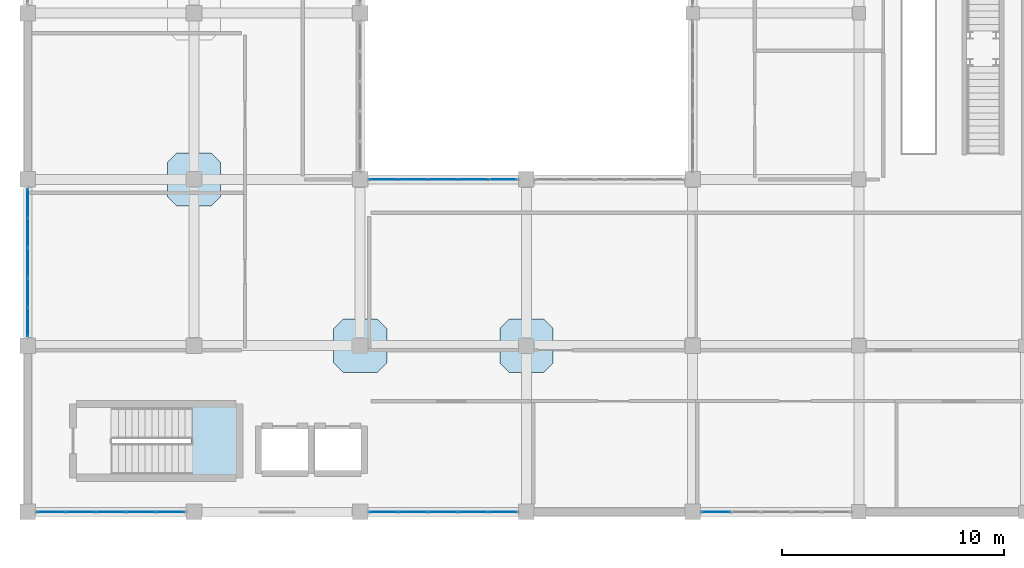
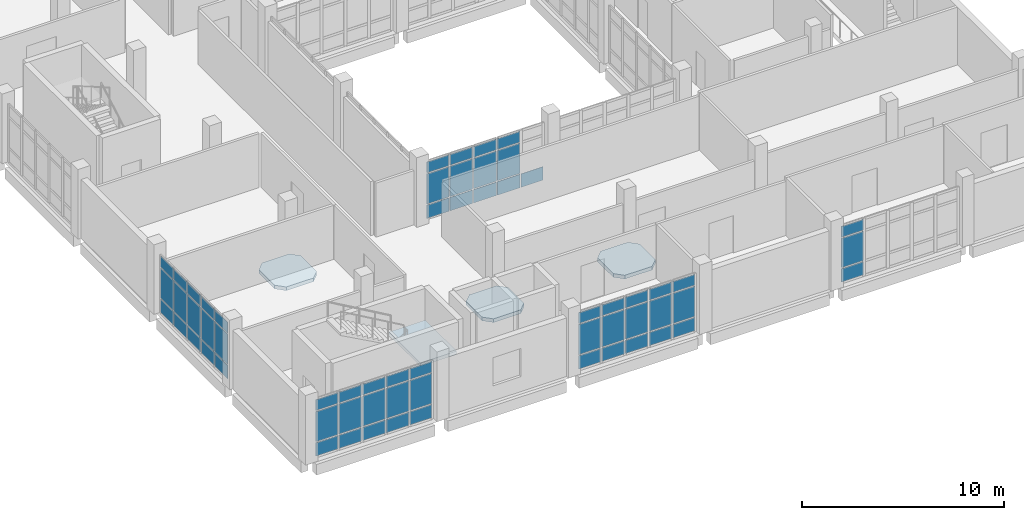
# One storey, part 120 of 164: 61 plates, 4 slabs, 6 elements without a shape of their own.
"""IFC4 building model written with IfcOpenShell, lengths in metres."""

from ifc_helpers import new_model, si_unit, direction, frame, origin, origin_2d, place, context, subcontext, project, spatial, polyline, rectangle, outline, extrude, material, layer, layer_set, type_object, element, aggregate, save


model = new_model("IFC4")

# Units and contexts
model_context = context("Model", 3, precision=1e-05, world=origin(), true_north=direction((0.0, 1.0)))
body_context = subcontext(model_context, "Body", "Model", "MODEL_VIEW")
ifc_project = project(units=[si_unit("LENGTHUNIT", "METRE"), si_unit("AREAUNIT", "SQUARE_METRE"), si_unit("VOLUMEUNIT", "CUBIC_METRE"), si_unit("PLANEANGLEUNIT", "RADIAN"), si_unit("MASSUNIT", "GRAM", prefix="KILO")], contexts=[model_context])

# Site, building, storey
site_placement = place(None, origin())
site = spatial("IfcSite", under=ifc_project, at=site_placement, CompositionType="ELEMENT")
building_placement = place(site_placement, origin())
building = spatial("IfcBuilding", under=site, at=building_placement, Name="Mawjan Specialist Oncology Clinic", CompositionType="ELEMENT")
storey_placement = place(building_placement, frame((0.0, 0.0, 5.0)))
storey = spatial("IfcBuildingStorey", under=building, at=storey_placement, Name="L01", CompositionType="ELEMENT", Elevation=5.0)

# Curtain wall, plates
ifc_material_1 = material(Name="Unitised spectrally selective aluminium curtain wall", Category="aluminium")
ifc_layer_1 = layer(ifc_material_1, 0.179931640625, Name="Unitised spectrally selective aluminium curtain wall", Category="aluminium")
ifc_layer_set_1 = layer_set([ifc_layer_1], Name="Unitised spectrally selective aluminium curtain wall")
curtain_wall_type_1 = type_object("IfcCurtainWallType", Name="CW-72", PredefinedType="NOTDEFINED", material=ifc_layer_set_1)
curtain_wall_1_placement = place(storey_placement, origin())
curtain_wall_1 = element("IfcCurtainWall", 1, at=curtain_wall_1_placement, inside=storey, type_object=curtain_wall_type_1, Name="L01 Unitised Curtain Wall CW-L01-142", PredefinedType="NOTDEFINED")
ifc_material_2 = material(Name="Spectrally selective double low-E glazing", Category="glass")
ifc_layer_2 = layer(ifc_material_2, 0.031982421875, Name="Spectrally selective double low-E glazing", Category="glass")
ifc_layer_set_2 = layer_set([ifc_layer_2], Name="Spectrally selective double low-E glazing")
plate_type = type_object("IfcPlateType", Name="CW-P32", PredefinedType="CURTAIN_PANEL", material=ifc_layer_set_2)
plate_1_placement = place(storey_placement, frame((31.064697265625, 0.800048828125, 0.06494140625), z_axis=(0.0, 0.0, 1.0), x_axis=(-1.0, 0.0, 0.0)))
plate_1 = element("IfcPlate", 2, at=plate_1_placement, type_object=plate_type, Name="CW-72 panel 5.1", PredefinedType="CURTAIN_PANEL", context=body_context, shape_type="SweptSolid", body=[
    extrude(rectangle(XDim=1.259521484375, YDim=0.031982421875, at=origin_2d()), origin(), (0.0, 0.0, 1.0), 0.802490234375),
])
plate_2_placement = place(storey_placement, frame((31.064697265625, 0.800048828125, 0.932373046875), z_axis=(0.0, 0.0, 1.0), x_axis=(-1.0, 0.0, 0.0)))
plate_2 = element("IfcPlate", 3, at=plate_2_placement, type_object=plate_type, Name="CW-72 panel 5.2", PredefinedType="CURTAIN_PANEL", context=body_context, shape_type="SweptSolid", body=[
    extrude(rectangle(XDim=1.259521484375, YDim=0.031982421875, at=origin_2d()), origin(), (0.0, 0.0, 1.0), 1.77001953125),
])
plate_3_placement = place(storey_placement, frame((31.064697265625, 0.800048828125, 2.767578125), z_axis=(0.0, 0.0, 1.0), x_axis=(-1.0, 0.0, 0.0)))
plate_3 = element("IfcPlate", 4, at=plate_3_placement, type_object=plate_type, Name="CW-72 panel 5.3", PredefinedType="CURTAIN_PANEL", context=body_context, shape_type="SweptSolid", body=[
    extrude(rectangle(XDim=1.259521484375, YDim=0.031982421875, at=origin_2d()), origin(), (0.0, 0.0, 1.0), 0.652587890625),
])
aggregate(curtain_wall_1, [plate_1, plate_2, plate_3])

ifc_material_3 = material(Name="Unitised spectrally selective aluminium curtain wall", Category="aluminium")
ifc_layer_3 = layer(ifc_material_3, 0.179931640625, Name="Unitised spectrally selective aluminium curtain wall", Category="aluminium")
ifc_layer_set_3 = layer_set([ifc_layer_3], Name="Unitised spectrally selective aluminium curtain wall")
curtain_wall_type_2 = type_object("IfcCurtainWallType", Name="CW-73", PredefinedType="NOTDEFINED", material=ifc_layer_set_3)
curtain_wall_2_placement = place(storey_placement, origin())
curtain_wall_2 = element("IfcCurtainWall", 5, at=curtain_wall_2_placement, inside=storey, type_object=curtain_wall_type_2, Name="L01 Unitised Curtain Wall CW-L01-143", PredefinedType="NOTDEFINED")
plate_4_placement = place(storey_placement, frame((21.437744140625, 0.800048828125, 0.06494140625), z_axis=(0.0, 0.0, 1.0), x_axis=(-1.0, 0.0, 0.0)))
plate_4 = element("IfcPlate", 6, at=plate_4_placement, type_object=plate_type, Name="CW-73 panel 1.1", PredefinedType="CURTAIN_PANEL", context=body_context, shape_type="SweptSolid", body=[
    extrude(rectangle(XDim=1.25439453125, YDim=0.031982421875, at=origin_2d()), origin(), (0.0, 0.0, 1.0), 0.802490234375),
])
plate_5_placement = place(storey_placement, frame((21.437744140625, 0.800048828125, 0.9326171875), z_axis=(0.0, 0.0, 1.0), x_axis=(-1.0, 0.0, 0.0)))
plate_5 = element("IfcPlate", 7, at=plate_5_placement, type_object=plate_type, Name="CW-73 panel 1.2", PredefinedType="CURTAIN_PANEL", context=body_context, shape_type="SweptSolid", body=[
    extrude(rectangle(XDim=1.25439453125, YDim=0.031982421875, at=origin_2d()), origin(), (0.0, 0.0, 1.0), 1.820068359375),
])
plate_6_placement = place(storey_placement, frame((21.437744140625, 0.800048828125, 2.8173828125), z_axis=(0.0, 0.0, 1.0), x_axis=(-1.0, 0.0, 0.0)))
plate_6 = element("IfcPlate", 8, at=plate_6_placement, type_object=plate_type, Name="CW-73 panel 1.3", PredefinedType="CURTAIN_PANEL", context=body_context, shape_type="SweptSolid", body=[
    extrude(rectangle(XDim=1.25439453125, YDim=0.031982421875, at=origin_2d()), origin(), (0.0, 0.0, 1.0), 0.652587890625),
])
plate_7_placement = place(storey_placement, frame((20.10205078125, 0.800048828125, 0.06494140625), z_axis=(0.0, 0.0, 1.0), x_axis=(-1.0, 0.0, 0.0)))
plate_7 = element("IfcPlate", 9, at=plate_7_placement, type_object=plate_type, Name="CW-73 panel 2.1", PredefinedType="CURTAIN_PANEL", context=body_context, shape_type="SweptSolid", body=[
    extrude(rectangle(XDim=1.287109375, YDim=0.031982421875, at=origin_2d()), origin(), (0.0, 0.0, 1.0), 0.802490234375),
])
plate_8_placement = place(storey_placement, frame((20.10205078125, 0.800048828125, 0.9326171875), z_axis=(0.0, 0.0, 1.0), x_axis=(-1.0, 0.0, 0.0)))
plate_8 = element("IfcPlate", 10, at=plate_8_placement, type_object=plate_type, Name="CW-73 panel 2.2", PredefinedType="CURTAIN_PANEL", context=body_context, shape_type="SweptSolid", body=[
    extrude(rectangle(XDim=1.287109375, YDim=0.031982421875, at=origin_2d()), origin(), (0.0, 0.0, 1.0), 1.820068359375),
])
plate_9_placement = place(storey_placement, frame((20.10205078125, 0.800048828125, 2.8173828125), z_axis=(0.0, 0.0, 1.0), x_axis=(-1.0, 0.0, 0.0)))
plate_9 = element("IfcPlate", 11, at=plate_9_placement, type_object=plate_type, Name="CW-73 panel 2.3", PredefinedType="CURTAIN_PANEL", context=body_context, shape_type="SweptSolid", body=[
    extrude(rectangle(XDim=1.287109375, YDim=0.031982421875, at=origin_2d()), origin(), (0.0, 0.0, 1.0), 0.652587890625),
])
plate_10_placement = place(storey_placement, frame((18.75, 0.800048828125, 0.06494140625), z_axis=(0.0, 0.0, 1.0), x_axis=(-1.0, 0.0, 0.0)))
plate_10 = element("IfcPlate", 12, at=plate_10_placement, type_object=plate_type, Name="CW-73 panel 3.1", PredefinedType="CURTAIN_PANEL", context=body_context, shape_type="SweptSolid", body=[
    extrude(rectangle(XDim=1.287109375, YDim=0.031982421875, at=origin_2d()), origin(), (0.0, 0.0, 1.0), 0.802490234375),
])
plate_11_placement = place(storey_placement, frame((18.75, 0.800048828125, 0.9326171875), z_axis=(0.0, 0.0, 1.0), x_axis=(-1.0, 0.0, 0.0)))
plate_11 = element("IfcPlate", 13, at=plate_11_placement, type_object=plate_type, Name="CW-73 panel 3.2", PredefinedType="CURTAIN_PANEL", context=body_context, shape_type="SweptSolid", body=[
    extrude(rectangle(XDim=1.287109375, YDim=0.031982421875, at=origin_2d()), origin(), (0.0, 0.0, 1.0), 1.820068359375),
])
plate_12_placement = place(storey_placement, frame((18.75, 0.800048828125, 2.8173828125), z_axis=(0.0, 0.0, 1.0), x_axis=(-1.0, 0.0, 0.0)))
plate_12 = element("IfcPlate", 14, at=plate_12_placement, type_object=plate_type, Name="CW-73 panel 3.3", PredefinedType="CURTAIN_PANEL", context=body_context, shape_type="SweptSolid", body=[
    extrude(rectangle(XDim=1.287109375, YDim=0.031982421875, at=origin_2d()), origin(), (0.0, 0.0, 1.0), 0.652587890625),
])
plate_13_placement = place(storey_placement, frame((17.39794921875, 0.800048828125, 0.06494140625), z_axis=(0.0, 0.0, 1.0), x_axis=(-1.0, 0.0, 0.0)))
plate_13 = element("IfcPlate", 15, at=plate_13_placement, type_object=plate_type, Name="CW-73 panel 4.1", PredefinedType="CURTAIN_PANEL", context=body_context, shape_type="SweptSolid", body=[
    extrude(rectangle(XDim=1.287109375, YDim=0.031982421875, at=origin_2d()), origin(), (0.0, 0.0, 1.0), 0.802490234375),
])
plate_14_placement = place(storey_placement, frame((17.39794921875, 0.800048828125, 0.9326171875), z_axis=(0.0, 0.0, 1.0), x_axis=(-1.0, 0.0, 0.0)))
plate_14 = element("IfcPlate", 16, at=plate_14_placement, type_object=plate_type, Name="CW-73 panel 4.2", PredefinedType="CURTAIN_PANEL", context=body_context, shape_type="SweptSolid", body=[
    extrude(rectangle(XDim=1.287109375, YDim=0.031982421875, at=origin_2d()), origin(), (0.0, 0.0, 1.0), 1.820068359375),
])
plate_15_placement = place(storey_placement, frame((17.39794921875, 0.800048828125, 2.8173828125), z_axis=(0.0, 0.0, 1.0), x_axis=(-1.0, 0.0, 0.0)))
plate_15 = element("IfcPlate", 17, at=plate_15_placement, type_object=plate_type, Name="CW-73 panel 4.3", PredefinedType="CURTAIN_PANEL", context=body_context, shape_type="SweptSolid", body=[
    extrude(rectangle(XDim=1.287109375, YDim=0.031982421875, at=origin_2d()), origin(), (0.0, 0.0, 1.0), 0.652587890625),
])
plate_16_placement = place(storey_placement, frame((16.062255859375, 0.800048828125, 0.06494140625), z_axis=(0.0, 0.0, 1.0), x_axis=(-1.0, 0.0, 0.0)))
plate_16 = element("IfcPlate", 18, at=plate_16_placement, type_object=plate_type, Name="CW-73 panel 5.1", PredefinedType="CURTAIN_PANEL", context=body_context, shape_type="SweptSolid", body=[
    extrude(rectangle(XDim=1.25439453125, YDim=0.031982421875, at=origin_2d()), origin(), (0.0, 0.0, 1.0), 0.802490234375),
])
plate_17_placement = place(storey_placement, frame((16.062255859375, 0.800048828125, 0.9326171875), z_axis=(0.0, 0.0, 1.0), x_axis=(-1.0, 0.0, 0.0)))
plate_17 = element("IfcPlate", 19, at=plate_17_placement, type_object=plate_type, Name="CW-73 panel 5.2", PredefinedType="CURTAIN_PANEL", context=body_context, shape_type="SweptSolid", body=[
    extrude(rectangle(XDim=1.25439453125, YDim=0.031982421875, at=origin_2d()), origin(), (0.0, 0.0, 1.0), 1.820068359375),
])
plate_18_placement = place(storey_placement, frame((16.062255859375, 0.800048828125, 2.8173828125), z_axis=(0.0, 0.0, 1.0), x_axis=(-1.0, 0.0, 0.0)))
plate_18 = element("IfcPlate", 20, at=plate_18_placement, type_object=plate_type, Name="CW-73 panel 5.3", PredefinedType="CURTAIN_PANEL", context=body_context, shape_type="SweptSolid", body=[
    extrude(rectangle(XDim=1.25439453125, YDim=0.031982421875, at=origin_2d()), origin(), (0.0, 0.0, 1.0), 0.652587890625),
])
aggregate(curtain_wall_2, [plate_4, plate_5, plate_6, plate_7, plate_8, plate_9, plate_10, plate_11, plate_12, plate_13, plate_14, plate_15, plate_16, plate_17, plate_18])

curtain_wall_3_placement = place(storey_placement, origin())
curtain_wall_3 = element("IfcCurtainWall", 21, at=curtain_wall_3_placement, inside=storey, type_object=curtain_wall_type_2, Name="L01 Unitised Curtain Wall CW-L01-144", PredefinedType="NOTDEFINED")
plate_19_placement = place(storey_placement, frame((6.437744140625, 0.800048828125, 0.06494140625), z_axis=(0.0, 0.0, 1.0), x_axis=(-1.0, 0.0, 0.0)))
plate_19 = element("IfcPlate", 22, at=plate_19_placement, type_object=plate_type, Name="CW-73 panel 1.1", PredefinedType="CURTAIN_PANEL", context=body_context, shape_type="SweptSolid", body=[
    extrude(rectangle(XDim=1.25439453125, YDim=0.031982421875, at=origin_2d()), origin(), (0.0, 0.0, 1.0), 0.802490234375),
])
plate_20_placement = place(storey_placement, frame((6.437744140625, 0.800048828125, 0.9326171875), z_axis=(0.0, 0.0, 1.0), x_axis=(-1.0, 0.0, 0.0)))
plate_20 = element("IfcPlate", 23, at=plate_20_placement, type_object=plate_type, Name="CW-73 panel 1.2", PredefinedType="CURTAIN_PANEL", context=body_context, shape_type="SweptSolid", body=[
    extrude(rectangle(XDim=1.25439453125, YDim=0.031982421875, at=origin_2d()), origin(), (0.0, 0.0, 1.0), 1.820068359375),
])
plate_21_placement = place(storey_placement, frame((6.437744140625, 0.800048828125, 2.8173828125), z_axis=(0.0, 0.0, 1.0), x_axis=(-1.0, 0.0, 0.0)))
plate_21 = element("IfcPlate", 24, at=plate_21_placement, type_object=plate_type, Name="CW-73 panel 1.3", PredefinedType="CURTAIN_PANEL", context=body_context, shape_type="SweptSolid", body=[
    extrude(rectangle(XDim=1.25439453125, YDim=0.031982421875, at=origin_2d()), origin(), (0.0, 0.0, 1.0), 0.652587890625),
])
plate_22_placement = place(storey_placement, frame((5.10205078125, 0.800048828125, 0.06494140625), z_axis=(0.0, 0.0, 1.0), x_axis=(-1.0, 0.0, 0.0)))
plate_22 = element("IfcPlate", 25, at=plate_22_placement, type_object=plate_type, Name="CW-73 panel 2.1", PredefinedType="CURTAIN_PANEL", context=body_context, shape_type="SweptSolid", body=[
    extrude(rectangle(XDim=1.287109375, YDim=0.031982421875, at=origin_2d()), origin(), (0.0, 0.0, 1.0), 0.802490234375),
])
plate_23_placement = place(storey_placement, frame((5.10205078125, 0.800048828125, 0.9326171875), z_axis=(0.0, 0.0, 1.0), x_axis=(-1.0, 0.0, 0.0)))
plate_23 = element("IfcPlate", 26, at=plate_23_placement, type_object=plate_type, Name="CW-73 panel 2.2", PredefinedType="CURTAIN_PANEL", context=body_context, shape_type="SweptSolid", body=[
    extrude(rectangle(XDim=1.287109375, YDim=0.031982421875, at=origin_2d()), origin(), (0.0, 0.0, 1.0), 1.820068359375),
])
plate_24_placement = place(storey_placement, frame((5.10205078125, 0.800048828125, 2.8173828125), z_axis=(0.0, 0.0, 1.0), x_axis=(-1.0, 0.0, 0.0)))
plate_24 = element("IfcPlate", 27, at=plate_24_placement, type_object=plate_type, Name="CW-73 panel 2.3", PredefinedType="CURTAIN_PANEL", context=body_context, shape_type="SweptSolid", body=[
    extrude(rectangle(XDim=1.287109375, YDim=0.031982421875, at=origin_2d()), origin(), (0.0, 0.0, 1.0), 0.652587890625),
])
plate_25_placement = place(storey_placement, frame((3.75, 0.800048828125, 0.06494140625), z_axis=(0.0, 0.0, 1.0), x_axis=(-1.0, 0.0, 0.0)))
plate_25 = element("IfcPlate", 28, at=plate_25_placement, type_object=plate_type, Name="CW-73 panel 3.1", PredefinedType="CURTAIN_PANEL", context=body_context, shape_type="SweptSolid", body=[
    extrude(rectangle(XDim=1.287109375, YDim=0.031982421875, at=origin_2d()), origin(), (0.0, 0.0, 1.0), 0.802490234375),
])
plate_26_placement = place(storey_placement, frame((3.75, 0.800048828125, 0.9326171875), z_axis=(0.0, 0.0, 1.0), x_axis=(-1.0, 0.0, 0.0)))
plate_26 = element("IfcPlate", 29, at=plate_26_placement, type_object=plate_type, Name="CW-73 panel 3.2", PredefinedType="CURTAIN_PANEL", context=body_context, shape_type="SweptSolid", body=[
    extrude(rectangle(XDim=1.287109375, YDim=0.031982421875, at=origin_2d()), origin(), (0.0, 0.0, 1.0), 1.820068359375),
])
plate_27_placement = place(storey_placement, frame((3.75, 0.800048828125, 2.8173828125), z_axis=(0.0, 0.0, 1.0), x_axis=(-1.0, 0.0, 0.0)))
plate_27 = element("IfcPlate", 30, at=plate_27_placement, type_object=plate_type, Name="CW-73 panel 3.3", PredefinedType="CURTAIN_PANEL", context=body_context, shape_type="SweptSolid", body=[
    extrude(rectangle(XDim=1.287109375, YDim=0.031982421875, at=origin_2d()), origin(), (0.0, 0.0, 1.0), 0.652587890625),
])
plate_28_placement = place(storey_placement, frame((2.39794921875, 0.800048828125, 0.06494140625), z_axis=(0.0, 0.0, 1.0), x_axis=(-1.0, 0.0, 0.0)))
plate_28 = element("IfcPlate", 31, at=plate_28_placement, type_object=plate_type, Name="CW-73 panel 4.1", PredefinedType="CURTAIN_PANEL", context=body_context, shape_type="SweptSolid", body=[
    extrude(rectangle(XDim=1.287109375, YDim=0.031982421875, at=origin_2d()), origin(), (0.0, 0.0, 1.0), 0.802490234375),
])
plate_29_placement = place(storey_placement, frame((2.39794921875, 0.800048828125, 0.9326171875), z_axis=(0.0, 0.0, 1.0), x_axis=(-1.0, 0.0, 0.0)))
plate_29 = element("IfcPlate", 32, at=plate_29_placement, type_object=plate_type, Name="CW-73 panel 4.2", PredefinedType="CURTAIN_PANEL", context=body_context, shape_type="SweptSolid", body=[
    extrude(rectangle(XDim=1.287109375, YDim=0.031982421875, at=origin_2d()), origin(), (0.0, 0.0, 1.0), 1.820068359375),
])
plate_30_placement = place(storey_placement, frame((2.39794921875, 0.800048828125, 2.8173828125), z_axis=(0.0, 0.0, 1.0), x_axis=(-1.0, 0.0, 0.0)))
plate_30 = element("IfcPlate", 33, at=plate_30_placement, type_object=plate_type, Name="CW-73 panel 4.3", PredefinedType="CURTAIN_PANEL", context=body_context, shape_type="SweptSolid", body=[
    extrude(rectangle(XDim=1.287109375, YDim=0.031982421875, at=origin_2d()), origin(), (0.0, 0.0, 1.0), 0.652587890625),
])
plate_31_placement = place(storey_placement, frame((1.062255859375, 0.800048828125, 0.06494140625), z_axis=(0.0, 0.0, 1.0), x_axis=(-1.0, 0.0, 0.0)))
plate_31 = element("IfcPlate", 34, at=plate_31_placement, type_object=plate_type, Name="CW-73 panel 5.1", PredefinedType="CURTAIN_PANEL", context=body_context, shape_type="SweptSolid", body=[
    extrude(rectangle(XDim=1.25439453125, YDim=0.031982421875, at=origin_2d()), origin(), (0.0, 0.0, 1.0), 0.802490234375),
])
plate_32_placement = place(storey_placement, frame((1.062255859375, 0.800048828125, 0.9326171875), z_axis=(0.0, 0.0, 1.0), x_axis=(-1.0, 0.0, 0.0)))
plate_32 = element("IfcPlate", 35, at=plate_32_placement, type_object=plate_type, Name="CW-73 panel 5.2", PredefinedType="CURTAIN_PANEL", context=body_context, shape_type="SweptSolid", body=[
    extrude(rectangle(XDim=1.25439453125, YDim=0.031982421875, at=origin_2d()), origin(), (0.0, 0.0, 1.0), 1.820068359375),
])
plate_33_placement = place(storey_placement, frame((1.062255859375, 0.800048828125, 2.8173828125), z_axis=(0.0, 0.0, 1.0), x_axis=(-1.0, 0.0, 0.0)))
plate_33 = element("IfcPlate", 36, at=plate_33_placement, type_object=plate_type, Name="CW-73 panel 5.3", PredefinedType="CURTAIN_PANEL", context=body_context, shape_type="SweptSolid", body=[
    extrude(rectangle(XDim=1.25439453125, YDim=0.031982421875, at=origin_2d()), origin(), (0.0, 0.0, 1.0), 0.652587890625),
])
aggregate(curtain_wall_3, [plate_19, plate_20, plate_21, plate_22, plate_23, plate_24, plate_25, plate_26, plate_27, plate_28, plate_29, plate_30, plate_31, plate_32, plate_33])

curtain_wall_4_placement = place(storey_placement, origin())
curtain_wall_4 = element("IfcCurtainWall", 37, at=curtain_wall_4_placement, inside=storey, type_object=curtain_wall_type_2, Name="L01 Unitised Curtain Wall CW-L01-145", PredefinedType="NOTDEFINED")
plate_34_placement = place(storey_placement, frame((0.0, 9.3623046875, 0.06494140625), z_axis=(0.0, 0.0, 1.0), x_axis=(0.0, 1.0, 0.0)))
plate_34 = element("IfcPlate", 38, at=plate_34_placement, type_object=plate_type, Name="CW-73 panel 1.1", PredefinedType="CURTAIN_PANEL", context=body_context, shape_type="SweptSolid", body=[
    extrude(rectangle(XDim=1.25439453125, YDim=0.031982421875, at=origin_2d()), origin(), (0.0, 0.0, 1.0), 0.802490234375),
])
plate_35_placement = place(storey_placement, frame((0.0, 9.3623046875, 0.9326171875), z_axis=(0.0, 0.0, 1.0), x_axis=(0.0, 1.0, 0.0)))
plate_35 = element("IfcPlate", 39, at=plate_35_placement, type_object=plate_type, Name="CW-73 panel 1.2", PredefinedType="CURTAIN_PANEL", context=body_context, shape_type="SweptSolid", body=[
    extrude(rectangle(XDim=1.25439453125, YDim=0.031982421875, at=origin_2d()), origin(), (0.0, 0.0, 1.0), 1.820068359375),
])
plate_36_placement = place(storey_placement, frame((0.0, 9.3623046875, 2.8173828125), z_axis=(0.0, 0.0, 1.0), x_axis=(0.0, 1.0, 0.0)))
plate_36 = element("IfcPlate", 40, at=plate_36_placement, type_object=plate_type, Name="CW-73 panel 1.3", PredefinedType="CURTAIN_PANEL", context=body_context, shape_type="SweptSolid", body=[
    extrude(rectangle(XDim=1.25439453125, YDim=0.031982421875, at=origin_2d()), origin(), (0.0, 0.0, 1.0), 0.652587890625),
])
plate_37_placement = place(storey_placement, frame((0.0, 10.697998046875, 0.06494140625), z_axis=(0.0, 0.0, 1.0), x_axis=(0.0, 1.0, 0.0)))
plate_37 = element("IfcPlate", 41, at=plate_37_placement, type_object=plate_type, Name="CW-73 panel 2.1", PredefinedType="CURTAIN_PANEL", context=body_context, shape_type="SweptSolid", body=[
    extrude(rectangle(XDim=1.287109375, YDim=0.031982421875, at=origin_2d()), origin(), (0.0, 0.0, 1.0), 0.802490234375),
])
plate_38_placement = place(storey_placement, frame((0.0, 10.697998046875, 0.9326171875), z_axis=(0.0, 0.0, 1.0), x_axis=(0.0, 1.0, 0.0)))
plate_38 = element("IfcPlate", 42, at=plate_38_placement, type_object=plate_type, Name="CW-73 panel 2.2", PredefinedType="CURTAIN_PANEL", context=body_context, shape_type="SweptSolid", body=[
    extrude(rectangle(XDim=1.287109375, YDim=0.031982421875, at=origin_2d()), origin(), (0.0, 0.0, 1.0), 1.820068359375),
])
plate_39_placement = place(storey_placement, frame((0.0, 10.697998046875, 2.8173828125), z_axis=(0.0, 0.0, 1.0), x_axis=(0.0, 1.0, 0.0)))
plate_39 = element("IfcPlate", 43, at=plate_39_placement, type_object=plate_type, Name="CW-73 panel 2.3", PredefinedType="CURTAIN_PANEL", context=body_context, shape_type="SweptSolid", body=[
    extrude(rectangle(XDim=1.287109375, YDim=0.031982421875, at=origin_2d()), origin(), (0.0, 0.0, 1.0), 0.652587890625),
])
plate_40_placement = place(storey_placement, frame((0.0, 12.050048828125, 0.06494140625), z_axis=(0.0, 0.0, 1.0), x_axis=(0.0, 1.0, 0.0)))
plate_40 = element("IfcPlate", 44, at=plate_40_placement, type_object=plate_type, Name="CW-73 panel 3.1", PredefinedType="CURTAIN_PANEL", context=body_context, shape_type="SweptSolid", body=[
    extrude(rectangle(XDim=1.287109375, YDim=0.031982421875, at=origin_2d()), origin(), (0.0, 0.0, 1.0), 0.802490234375),
])
plate_41_placement = place(storey_placement, frame((0.0, 12.050048828125, 0.9326171875), z_axis=(0.0, 0.0, 1.0), x_axis=(0.0, 1.0, 0.0)))
plate_41 = element("IfcPlate", 45, at=plate_41_placement, type_object=plate_type, Name="CW-73 panel 3.2", PredefinedType="CURTAIN_PANEL", context=body_context, shape_type="SweptSolid", body=[
    extrude(rectangle(XDim=1.287109375, YDim=0.031982421875, at=origin_2d()), origin(), (0.0, 0.0, 1.0), 1.820068359375),
])
plate_42_placement = place(storey_placement, frame((0.0, 12.050048828125, 2.8173828125), z_axis=(0.0, 0.0, 1.0), x_axis=(0.0, 1.0, 0.0)))
plate_42 = element("IfcPlate", 46, at=plate_42_placement, type_object=plate_type, Name="CW-73 panel 3.3", PredefinedType="CURTAIN_PANEL", context=body_context, shape_type="SweptSolid", body=[
    extrude(rectangle(XDim=1.287109375, YDim=0.031982421875, at=origin_2d()), origin(), (0.0, 0.0, 1.0), 0.652587890625),
])
plate_43_placement = place(storey_placement, frame((0.0, 13.402099609375, 0.06494140625), z_axis=(0.0, 0.0, 1.0), x_axis=(0.0, 1.0, 0.0)))
plate_43 = element("IfcPlate", 47, at=plate_43_placement, type_object=plate_type, Name="CW-73 panel 4.1", PredefinedType="CURTAIN_PANEL", context=body_context, shape_type="SweptSolid", body=[
    extrude(rectangle(XDim=1.287109375, YDim=0.031982421875, at=origin_2d()), origin(), (0.0, 0.0, 1.0), 0.802490234375),
])
plate_44_placement = place(storey_placement, frame((0.0, 13.402099609375, 0.9326171875), z_axis=(0.0, 0.0, 1.0), x_axis=(0.0, 1.0, 0.0)))
plate_44 = element("IfcPlate", 48, at=plate_44_placement, type_object=plate_type, Name="CW-73 panel 4.2", PredefinedType="CURTAIN_PANEL", context=body_context, shape_type="SweptSolid", body=[
    extrude(rectangle(XDim=1.287109375, YDim=0.031982421875, at=origin_2d()), origin(), (0.0, 0.0, 1.0), 1.820068359375),
])
plate_45_placement = place(storey_placement, frame((0.0, 13.402099609375, 2.8173828125), z_axis=(0.0, 0.0, 1.0), x_axis=(0.0, 1.0, 0.0)))
plate_45 = element("IfcPlate", 49, at=plate_45_placement, type_object=plate_type, Name="CW-73 panel 4.3", PredefinedType="CURTAIN_PANEL", context=body_context, shape_type="SweptSolid", body=[
    extrude(rectangle(XDim=1.287109375, YDim=0.031982421875, at=origin_2d()), origin(), (0.0, 0.0, 1.0), 0.652587890625),
])
plate_46_placement = place(storey_placement, frame((0.0, 14.73779296875, 0.06494140625), z_axis=(0.0, 0.0, 1.0), x_axis=(0.0, 1.0, 0.0)))
plate_46 = element("IfcPlate", 50, at=plate_46_placement, type_object=plate_type, Name="CW-73 panel 5.1", PredefinedType="CURTAIN_PANEL", context=body_context, shape_type="SweptSolid", body=[
    extrude(rectangle(XDim=1.25439453125, YDim=0.031982421875, at=origin_2d()), origin(), (0.0, 0.0, 1.0), 0.802490234375),
])
plate_47_placement = place(storey_placement, frame((0.0, 14.73779296875, 0.9326171875), z_axis=(0.0, 0.0, 1.0), x_axis=(0.0, 1.0, 0.0)))
plate_47 = element("IfcPlate", 51, at=plate_47_placement, type_object=plate_type, Name="CW-73 panel 5.2", PredefinedType="CURTAIN_PANEL", context=body_context, shape_type="SweptSolid", body=[
    extrude(rectangle(XDim=1.25439453125, YDim=0.031982421875, at=origin_2d()), origin(), (0.0, 0.0, 1.0), 1.820068359375),
])
plate_48_placement = place(storey_placement, frame((0.0, 14.73779296875, 2.8173828125), z_axis=(0.0, 0.0, 1.0), x_axis=(0.0, 1.0, 0.0)))
plate_48 = element("IfcPlate", 52, at=plate_48_placement, type_object=plate_type, Name="CW-73 panel 5.3", PredefinedType="CURTAIN_PANEL", context=body_context, shape_type="SweptSolid", body=[
    extrude(rectangle(XDim=1.25439453125, YDim=0.031982421875, at=origin_2d()), origin(), (0.0, 0.0, 1.0), 0.652587890625),
])
aggregate(curtain_wall_4, [plate_34, plate_35, plate_36, plate_37, plate_38, plate_39, plate_40, plate_41, plate_42, plate_43, plate_44, plate_45, plate_46, plate_47, plate_48])

curtain_wall_5_placement = place(storey_placement, origin())
curtain_wall_5 = element("IfcCurtainWall", 53, at=curtain_wall_5_placement, inside=storey, type_object=curtain_wall_type_2, Name="L01 Unitised Curtain Wall CW-L01-165", PredefinedType="NOTDEFINED")
plate_49_placement = place(storey_placement, frame((16.062255859375, 15.800048828125, 0.06494140625), z_axis=(0.0, 0.0, 1.0), x_axis=(1.0, 0.0, 0.0)))
plate_49 = element("IfcPlate", 54, at=plate_49_placement, type_object=plate_type, Name="CW-73 panel 1.1", PredefinedType="CURTAIN_PANEL", context=body_context, shape_type="SweptSolid", body=[
    extrude(rectangle(XDim=1.25439453125, YDim=0.031982421875, at=origin_2d()), origin(), (0.0, 0.0, 1.0), 0.802490234375),
])
plate_50_placement = place(storey_placement, frame((16.062255859375, 15.800048828125, 0.9326171875), z_axis=(0.0, 0.0, 1.0), x_axis=(1.0, 0.0, 0.0)))
plate_50 = element("IfcPlate", 55, at=plate_50_placement, type_object=plate_type, Name="CW-73 panel 1.2", PredefinedType="CURTAIN_PANEL", context=body_context, shape_type="SweptSolid", body=[
    extrude(rectangle(XDim=1.25439453125, YDim=0.031982421875, at=origin_2d()), origin(), (0.0, 0.0, 1.0), 1.820068359375),
])
plate_51_placement = place(storey_placement, frame((16.062255859375, 15.800048828125, 2.8173828125), z_axis=(0.0, 0.0, 1.0), x_axis=(1.0, 0.0, 0.0)))
plate_51 = element("IfcPlate", 56, at=plate_51_placement, type_object=plate_type, Name="CW-73 panel 1.3", PredefinedType="CURTAIN_PANEL", context=body_context, shape_type="SweptSolid", body=[
    extrude(rectangle(XDim=1.25439453125, YDim=0.031982421875, at=origin_2d()), origin(), (0.0, 0.0, 1.0), 0.652587890625),
])
plate_52_placement = place(storey_placement, frame((17.39794921875, 15.800048828125, 0.06494140625), z_axis=(0.0, 0.0, 1.0), x_axis=(1.0, 0.0, 0.0)))
plate_52 = element("IfcPlate", 57, at=plate_52_placement, type_object=plate_type, Name="CW-73 panel 2.1", PredefinedType="CURTAIN_PANEL", context=body_context, shape_type="SweptSolid", body=[
    extrude(rectangle(XDim=1.287109375, YDim=0.031982421875, at=origin_2d()), origin(), (0.0, 0.0, 1.0), 0.802490234375),
])
plate_53_placement = place(storey_placement, frame((17.39794921875, 15.800048828125, 0.9326171875), z_axis=(0.0, 0.0, 1.0), x_axis=(1.0, 0.0, 0.0)))
plate_53 = element("IfcPlate", 58, at=plate_53_placement, type_object=plate_type, Name="CW-73 panel 2.2", PredefinedType="CURTAIN_PANEL", context=body_context, shape_type="SweptSolid", body=[
    extrude(rectangle(XDim=1.287109375, YDim=0.031982421875, at=origin_2d()), origin(), (0.0, 0.0, 1.0), 1.820068359375),
])
plate_54_placement = place(storey_placement, frame((17.39794921875, 15.800048828125, 2.8173828125), z_axis=(0.0, 0.0, 1.0), x_axis=(1.0, 0.0, 0.0)))
plate_54 = element("IfcPlate", 59, at=plate_54_placement, type_object=plate_type, Name="CW-73 panel 2.3", PredefinedType="CURTAIN_PANEL", context=body_context, shape_type="SweptSolid", body=[
    extrude(rectangle(XDim=1.287109375, YDim=0.031982421875, at=origin_2d()), origin(), (0.0, 0.0, 1.0), 0.652587890625),
])
plate_55_placement = place(storey_placement, frame((18.75, 15.800048828125, 0.06494140625), z_axis=(0.0, 0.0, 1.0), x_axis=(1.0, 0.0, 0.0)))
plate_55 = element("IfcPlate", 60, at=plate_55_placement, type_object=plate_type, Name="CW-73 panel 3.1", PredefinedType="CURTAIN_PANEL", context=body_context, shape_type="SweptSolid", body=[
    extrude(rectangle(XDim=1.287109375, YDim=0.031982421875, at=origin_2d()), origin(), (0.0, 0.0, 1.0), 0.802490234375),
])
plate_56_placement = place(storey_placement, frame((18.75, 15.800048828125, 0.9326171875), z_axis=(0.0, 0.0, 1.0), x_axis=(1.0, 0.0, 0.0)))
plate_56 = element("IfcPlate", 61, at=plate_56_placement, type_object=plate_type, Name="CW-73 panel 3.2", PredefinedType="CURTAIN_PANEL", context=body_context, shape_type="SweptSolid", body=[
    extrude(rectangle(XDim=1.287109375, YDim=0.031982421875, at=origin_2d()), origin(), (0.0, 0.0, 1.0), 1.820068359375),
])
plate_57_placement = place(storey_placement, frame((18.75, 15.800048828125, 2.8173828125), z_axis=(0.0, 0.0, 1.0), x_axis=(1.0, 0.0, 0.0)))
plate_57 = element("IfcPlate", 62, at=plate_57_placement, type_object=plate_type, Name="CW-73 panel 3.3", PredefinedType="CURTAIN_PANEL", context=body_context, shape_type="SweptSolid", body=[
    extrude(rectangle(XDim=1.287109375, YDim=0.031982421875, at=origin_2d()), origin(), (0.0, 0.0, 1.0), 0.652587890625),
])
plate_58_placement = place(storey_placement, frame((20.10205078125, 15.800048828125, 0.06494140625), z_axis=(0.0, 0.0, 1.0), x_axis=(1.0, 0.0, 0.0)))
plate_58 = element("IfcPlate", 63, at=plate_58_placement, type_object=plate_type, Name="CW-73 panel 4.1", PredefinedType="CURTAIN_PANEL", context=body_context, shape_type="SweptSolid", body=[
    extrude(rectangle(XDim=1.287109375, YDim=0.031982421875, at=origin_2d()), origin(), (0.0, 0.0, 1.0), 0.802490234375),
])
plate_59_placement = place(storey_placement, frame((20.10205078125, 15.800048828125, 0.9326171875), z_axis=(0.0, 0.0, 1.0), x_axis=(1.0, 0.0, 0.0)))
plate_59 = element("IfcPlate", 64, at=plate_59_placement, type_object=plate_type, Name="CW-73 panel 4.2", PredefinedType="CURTAIN_PANEL", context=body_context, shape_type="SweptSolid", body=[
    extrude(rectangle(XDim=1.287109375, YDim=0.031982421875, at=origin_2d()), origin(), (0.0, 0.0, 1.0), 1.820068359375),
])
plate_60_placement = place(storey_placement, frame((20.10205078125, 15.800048828125, 2.8173828125), z_axis=(0.0, 0.0, 1.0), x_axis=(1.0, 0.0, 0.0)))
plate_60 = element("IfcPlate", 65, at=plate_60_placement, type_object=plate_type, Name="CW-73 panel 4.3", PredefinedType="CURTAIN_PANEL", context=body_context, shape_type="SweptSolid", body=[
    extrude(rectangle(XDim=1.287109375, YDim=0.031982421875, at=origin_2d()), origin(), (0.0, 0.0, 1.0), 0.652587890625),
])
plate_61_placement = place(storey_placement, frame((21.437744140625, 15.800048828125, 0.06494140625), z_axis=(0.0, 0.0, 1.0), x_axis=(1.0, 0.0, 0.0)))
plate_61 = element("IfcPlate", 66, at=plate_61_placement, type_object=plate_type, Name="CW-73 panel 5.1", PredefinedType="CURTAIN_PANEL", context=body_context, shape_type="SweptSolid", body=[
    extrude(rectangle(XDim=1.25439453125, YDim=0.031982421875, at=origin_2d()), origin(), (0.0, 0.0, 1.0), 0.802490234375),
])
aggregate(curtain_wall_5, [plate_49, plate_50, plate_51, plate_52, plate_53, plate_54, plate_55, plate_56, plate_57, plate_58, plate_59, plate_60, plate_61])

# Slabs
ifc_material_4 = material(Name="Concrete C35/45", Category="concrete")
ifc_layer_4 = layer(ifc_material_4, 0.219970703125, Name="Concrete C35/45", Category="concrete")
ifc_layer_set_4 = layer_set([ifc_layer_4], Name="Concrete C35/45")
slab_type_1 = type_object("IfcSlabType", Name="DP-220", PredefinedType="FLOOR", material=ifc_layer_set_4)
slab_1_placement = place(storey_placement, frame((0.0, 0.0, -0.52001953125)))
element("IfcSlab", 67, at=slab_1_placement, inside=storey, type_object=slab_type_1, Name="L01 Octagonal Column Drop Panel DP-L01-001", PredefinedType="FLOOR", context=body_context, shape_type="SweptSolid", body=[
    extrude(outline(polyline([(6.719970703125, 14.60009765625), (8.280029296875, 14.60009765625), (8.699951171875, 15.02001953125), (8.699951171875, 16.580078125), (8.280029296875, 17.0), (6.719970703125, 17.0), (6.300048828125, 16.580078125), (6.300048828125, 15.02001953125), (6.719970703125, 14.60009765625)])), origin(), (0.0, 0.0, 1.0), 0.219970703125),
])
slab_2_placement = place(storey_placement, frame((0.0, 0.0, -0.52001953125)))
element("IfcSlab", 68, at=slab_2_placement, inside=storey, type_object=slab_type_1, Name="L01 Octagonal Column Drop Panel DP-L01-024", PredefinedType="FLOOR", context=body_context, shape_type="SweptSolid", body=[
    extrude(outline(polyline([(14.219970703125, 7.10009765625), (15.780029296875, 7.10009765625), (16.199951171875, 7.52001953125), (16.199951171875, 9.080078125), (15.780029296875, 9.5), (14.219970703125, 9.5), (13.800048828125, 9.080078125), (13.800048828125, 7.52001953125), (14.219970703125, 7.10009765625)])), origin(), (0.0, 0.0, 1.0), 0.219970703125),
])
slab_3_placement = place(storey_placement, frame((0.0, 0.0, -0.52001953125)))
element("IfcSlab", 69, at=slab_3_placement, inside=storey, type_object=slab_type_1, Name="L01 Octagonal Column Drop Panel DP-L01-037", PredefinedType="FLOOR", context=body_context, shape_type="SweptSolid", body=[
    extrude(outline(polyline([(21.719970703125, 7.10009765625), (23.280029296875, 7.10009765625), (23.699951171875, 7.52001953125), (23.699951171875, 9.080078125), (23.280029296875, 9.5), (21.719970703125, 9.5), (21.300048828125, 9.080078125), (21.300048828125, 7.52001953125), (21.719970703125, 7.10009765625)])), origin(), (0.0, 0.0, 1.0), 0.219970703125),
])

# Stair, slab
ifc_material_5 = material(Name="Concrete C35/45", Category="concrete")
stair_type = type_object("IfcStairType", Name="STR-CORE45", PredefinedType="HALF_TURN_STAIR", material=ifc_material_5)
stair_placement = place(storey_placement, origin())
stair = element("IfcStair", 70, at=stair_placement, inside=storey, type_object=stair_type, Name="L01 Exit Stair ST-01", PredefinedType="HALF_TURN_STAIR")
ifc_material_6 = material(Name="Concrete C35/45", Category="concrete")
ifc_layer_5 = layer(ifc_material_6, 0.199951171875, Name="Concrete C35/45", Category="concrete")
ifc_layer_set_5 = layer_set([ifc_layer_5], Name="Concrete C35/45")
slab_type_2 = type_object("IfcSlabType", Name="LND-200", PredefinedType="LANDING", material=ifc_layer_set_5)
slab_4_placement = place(storey_placement, frame((0.0, 0.0, 2.050048828125)))
slab_4 = element("IfcSlab", 71, at=slab_4_placement, type_object=slab_type_2, Name="ST-01 landing 1", PredefinedType="LANDING", context=body_context, shape_type="SweptSolid", body=[
    extrude(outline(polyline([(7.36669921875, 2.4501953125), (9.433349609375, 2.4501953125), (9.433349609375, 5.5498046875), (7.36669921875, 5.5498046875), (7.36669921875, 2.4501953125)])), origin(), (0.0, 0.0, 1.0), 0.199951171875),
])
aggregate(stair, [slab_4])

save(model, "model.ifc")
